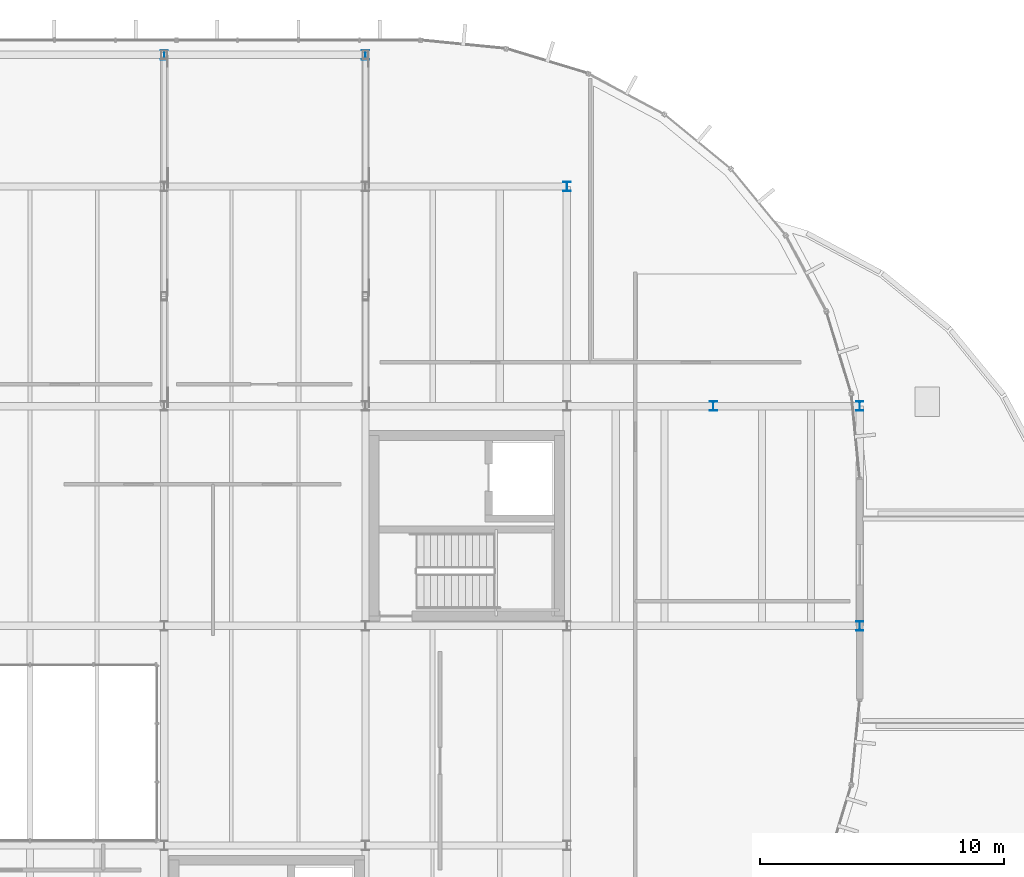
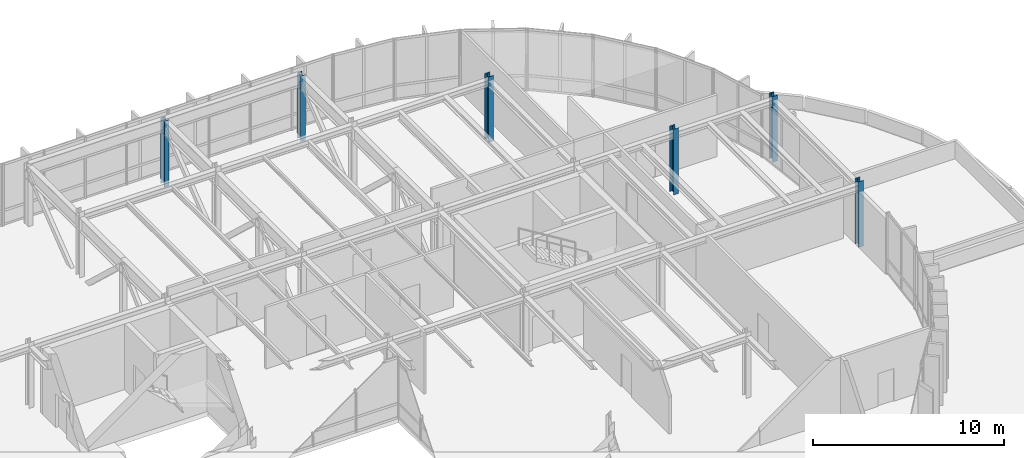
# One storey, part 4 of 29: 6 columns.
"""IFC4 building model written with IfcOpenShell, lengths in metres."""

from ifc_helpers import new_model, si_unit, direction, frame, origin, origin_2d, place, context, subcontext, project, spatial, i_section, extrude, material, material_profile, profile_set, type_object, element, save


model = new_model("IFC4")

# Units and contexts
model_context = context("Model", 3, precision=1e-05, world=origin(), true_north=direction((0.0, 1.0)))
body_context = subcontext(model_context, "Body", "Model", "MODEL_VIEW")
ifc_project = project(units=[si_unit("LENGTHUNIT", "METRE"), si_unit("AREAUNIT", "SQUARE_METRE"), si_unit("VOLUMEUNIT", "CUBIC_METRE"), si_unit("PLANEANGLEUNIT", "RADIAN"), si_unit("MASSUNIT", "GRAM", prefix="KILO")], contexts=[model_context])

# Site, building, storey
site_placement = place(None, origin())
site = spatial("IfcSite", under=ifc_project, at=site_placement, CompositionType="ELEMENT")
building_placement = place(site_placement, origin())
building = spatial("IfcBuilding", under=site, at=building_placement, Name="Montealbar Specialist Clinic", CompositionType="ELEMENT")
storey_placement = place(building_placement, frame((0.0, 0.0, 22.199951171875)))
storey = spatial("IfcBuildingStorey", under=building, at=storey_placement, Name="L05", CompositionType="ELEMENT", Elevation=22.199951171875)

# Columns
ifc_material = material(Name="Steel S355", Category="steel")
ifc_material_profile_1 = material_profile(ifc_material, i_section(OverallWidth=0.300048828125, OverallDepth=0.389892578125, WebThickness=0.010986328125, FlangeThickness=0.01904296875, FilletRadius=0.027099609375, at=origin_2d()), Name="HEA 400", Category="steel")
ifc_profile_set_1 = profile_set([ifc_material_profile_1], Name="Steel S355")
column_type_1 = type_object("IfcColumnType", Name="COL-S-L05-STD", PredefinedType="COLUMN", material=ifc_profile_set_1)
for number, where, z_axis, x_axis, name in (
    (1, (99.0, 45.0, 0.0), (0.0, 0.0, 1.0), (1.0, 0.0, 0.0), "Column 13/F L05"),
    (2, (105.0, 36.0, 0.0), (0.0, 0.0, 1.0), (1.0, 0.0, 0.0), "Column 14/E L05"),
):
    element("IfcColumn", number, at=place(storey_placement, frame(where, z_axis=z_axis, x_axis=x_axis)), inside=storey, type_object=column_type_1, Name=name, PredefinedType="COLUMN", context=body_context, shape_type="SweptSolid", body=[
        extrude(i_section(OverallWidth=0.300048828125, OverallDepth=0.389892578125, WebThickness=0.010986328125, FlangeThickness=0.01904296875, FilletRadius=0.027099609375, at=origin_2d()), origin(), (0.0, 0.0, 1.0), 4.199951171875),
    ])
ifc_material_profile_2 = material_profile(ifc_material, i_section(OverallWidth=0.300048828125, OverallDepth=0.389892578125, WebThickness=0.010986328125, FlangeThickness=0.01904296875, FilletRadius=0.027099609375, at=origin_2d()), Name="HEA 400", Category="steel")
ifc_profile_set_2 = profile_set([ifc_material_profile_2], Name="Steel S355")
column_type_2 = type_object("IfcColumnType", Name="COL-S-L05-STD-EXT", PredefinedType="COLUMN", material=ifc_profile_set_2)
for number, where, z_axis, x_axis, name in (
    (3, (82.5, 50.39990234375, -0.33984375), (0.0, 0.0, 1.0), (1.0, 0.0, 0.0), "Column 11/F2 L05"),
    (4, (90.75, 50.39990234375, -0.33984375), (0.0, 0.0, 1.0), (1.0, 0.0, 0.0), "Column 12/F2 L05"),
    (5, (111.0, 27.0, 0.0), (0.0, 0.0, 1.0), (1.0, 0.0, 0.0), "Column 15/D L05"),
    (6, (111.0, 36.0, 0.0), (0.0, 0.0, 1.0), (1.0, 0.0, 0.0), "Column 15/E L05"),
):
    element("IfcColumn", number, at=place(storey_placement, frame(where, z_axis=z_axis, x_axis=x_axis)), inside=storey, type_object=column_type_2, Name=name, PredefinedType="COLUMN", context=body_context, shape_type="SweptSolid", body=[
        extrude(i_section(OverallWidth=0.300048828125, OverallDepth=0.389892578125, WebThickness=0.010986328125, FlangeThickness=0.01904296875, FilletRadius=0.027099609375, at=origin_2d()), origin(), (0.0, 0.0, 1.0), 4.199951171875),
    ])

save(model, "model.ifc")
